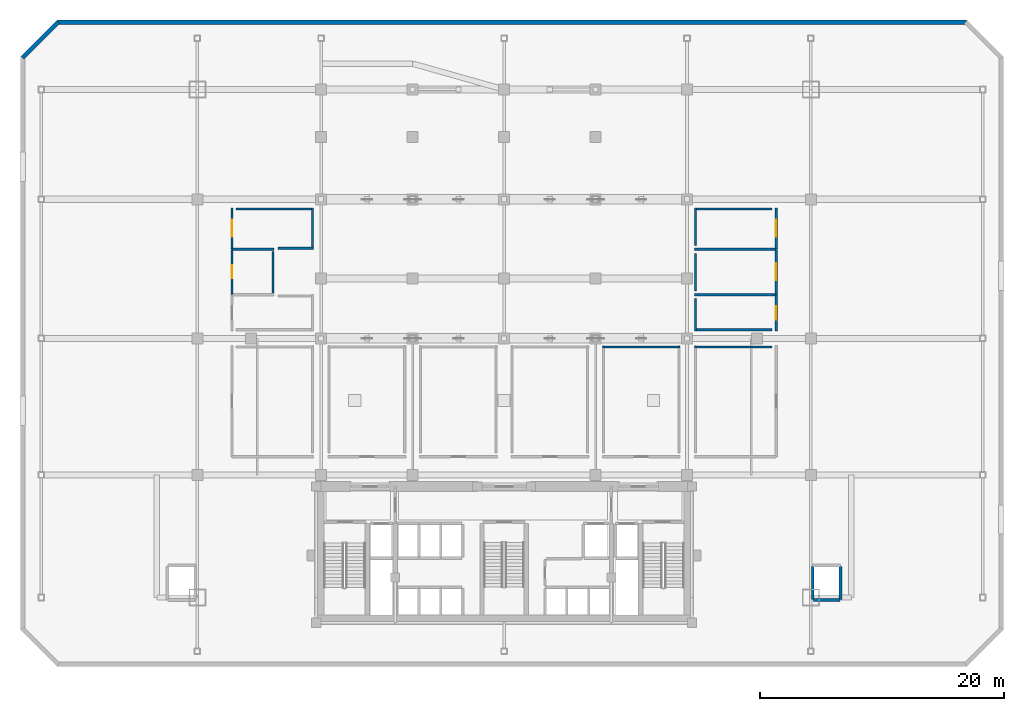
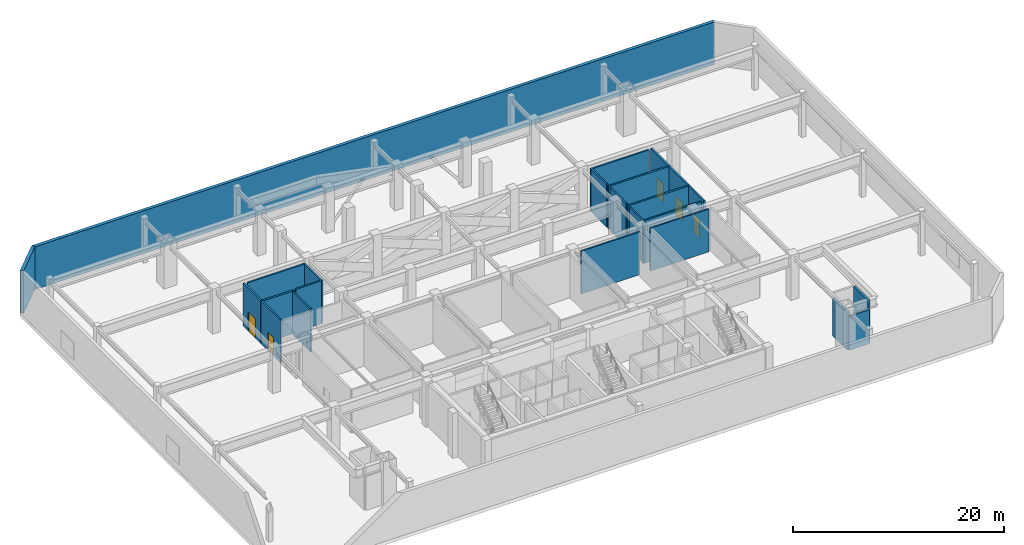
# One storey, part 10 of 14: 24 walls, 5 doors, 5 openings.
"""IFC4 building model written with IfcOpenShell, lengths in metres."""

from ifc_helpers import new_model, si_unit, direction, frame, frame_2d, origin, place, context, subcontext, project, spatial, rectangle, extrude, material, layer, layer_set, type_object, element, fill, save


model = new_model("IFC4")

# Units and contexts
model_context = context("Model", 3, precision=1e-05, world=origin(), true_north=direction((0.0, 1.0)))
body_context = subcontext(model_context, "Body", "Model", "MODEL_VIEW")
ifc_project = project(units=[si_unit("LENGTHUNIT", "METRE"), si_unit("AREAUNIT", "SQUARE_METRE"), si_unit("VOLUMEUNIT", "CUBIC_METRE"), si_unit("PLANEANGLEUNIT", "RADIAN"), si_unit("MASSUNIT", "GRAM", prefix="KILO")], contexts=[model_context])

# Site, building, storey
site_placement = place(None, origin())
site = spatial("IfcSite", under=ifc_project, at=site_placement, CompositionType="ELEMENT")
building_placement = place(site_placement, origin())
building = spatial("IfcBuilding", under=site, at=building_placement, Name="Ventersveld Concourse Tower", CompositionType="ELEMENT")
storey_placement = place(building_placement, frame((0.0, 0.0, 24.60009765625)))
storey = spatial("IfcBuildingStorey", under=building, at=storey_placement, Name="L05", CompositionType="ELEMENT", Elevation=24.60009765625)

# Wall, opening, door
ifc_material_1 = material(Name="Fire-rated autoclaved aerated masonry blockwork", Category="masonry")
ifc_layer_1 = layer(ifc_material_1, 0.179931640625)
ifc_layer_set_1 = layer_set([ifc_layer_1], Name="Fire-rated autoclaved aerated masonry blockwork")
wall_type_1 = type_object("IfcWallType", Name="WL-CORR-180", PredefinedType="PARTITIONING", material=ifc_layer_set_1)
wall_1_placement = place(storey_placement, frame((51.06005859375, 24.205078125, 0.0), z_axis=(0.0, 0.0, 1.0), x_axis=(0.0, 1.0, 0.0)))
wall_1 = element("IfcWall", 1, at=wall_1_placement, inside=storey, type_object=wall_type_1, Name="L05 Interior Partition SP-L05-PCOR-SP-L05-REF-8", PredefinedType="PARTITIONING", context=body_context, shape_type="SweptSolid", body=[
    extrude(rectangle(XDim=2.969970703125, YDim=0.179931640625, at=frame_2d((1.48486328125, 0.0))), origin(), (0.0, 0.0, 1.0), 4.949951171875),
])
opening_1_placement = place(wall_1_placement, frame((0.93505859375, 0.0, 0.0)))
opening_1 = element("IfcOpeningElement", 2, at=opening_1_placement, cuts=wall_1, Name="Opening FD2", PredefinedType="OPENING", context=body_context, shape_type="SweptSolid", body=[
    extrude(rectangle(XDim=1.10009765625, YDim=2.199951171875, at=frame_2d((0.550048828125, 1.10009765625))), frame((0.0, 0.10009765625, 0.0), z_axis=(0.0, -1.0, 0.0), x_axis=(1.0, 0.0, 0.0)), (0.0, 0.0, 1.0), 0.199951171875),
])
ifc_material_2 = material(Name="Galvanised painted steel", Category="steel")
door_type_1 = type_object("IfcDoorType", Name="DR-FFL-110", OperationType="NOTDEFINED", PredefinedType="DOOR", material=ifc_material_2)
door_1_placement = place(opening_1_placement, origin())
door_1 = element("IfcDoor", 3, at=door_1_placement, inside=storey, type_object=door_type_1, Name="L05 Interior Door SP-L05-PCOR to SP-L05-REF-8 (FD-L05-0171)", OperationType="SINGLE_SWING_LEFT", OverallHeight=2.199951171875, OverallWidth=1.10009765625, PredefinedType="DOOR", context=body_context, shape_type="SweptSolid", body=[
    extrude(rectangle(XDim=1.10009765625, YDim=2.199951171875, at=frame_2d((0.550048828125, 1.10009765625))), frame((0.0, 0.02490234375, 0.0), z_axis=(0.0, -1.0, 0.0), x_axis=(1.0, 0.0, 0.0)), (0.0, 0.0, 1.0), 0.050048828125),
])
fill(opening_1, door_1)

wall_2_placement = place(storey_placement, frame((6.43994140625, 27.205078125, 0.0), z_axis=(0.0, 0.0, 1.0), x_axis=(0.0, 1.0, 0.0)))
wall_2 = element("IfcWall", 4, at=wall_2_placement, inside=storey, type_object=wall_type_1, Name="L05 Interior Partition SP-L05-PCOR-SP-L05-AWC", PredefinedType="PARTITIONING", context=body_context, shape_type="SweptSolid", body=[
    extrude(rectangle(XDim=3.68994140625, YDim=0.179931640625, at=frame_2d((1.844970703125, 0.0))), origin(), (0.0, 0.0, 1.0), 4.949951171875),
])
opening_2_placement = place(wall_2_placement, frame((1.320068359375, 0.0, 0.0)))
opening_2 = element("IfcOpeningElement", 5, at=opening_2_placement, cuts=wall_2, Name="Opening ID3", PredefinedType="OPENING", context=body_context, shape_type="SweptSolid", body=[
    extrude(rectangle(XDim=1.050048828125, YDim=2.14990234375, at=frame_2d((0.52490234375, 1.074951171875))), frame((0.0, 0.10009765625, 0.0), z_axis=(0.0, -1.0, 0.0), x_axis=(1.0, 0.0, 0.0)), (0.0, 0.0, 1.0), 0.199951171875),
])
ifc_material_3 = material(Name="Solid-core hardwood veneer timber", Category="wood")
door_type_2 = type_object("IfcDoorType", Name="DR-AWC-105", OperationType="NOTDEFINED", PredefinedType="DOOR", material=ifc_material_3)
door_2_placement = place(opening_2_placement, origin())
door_2 = element("IfcDoor", 6, at=door_2_placement, inside=storey, type_object=door_type_2, Name="L05 Interior Door SP-L05-PCOR to SP-L05-AWC (WD-L05-0172)", OperationType="SINGLE_SWING_RIGHT", OverallHeight=2.14990234375, OverallWidth=1.050048828125, PredefinedType="DOOR", context=body_context, shape_type="SweptSolid", body=[
    extrude(rectangle(XDim=1.050048828125, YDim=2.14990234375, at=frame_2d((0.52490234375, 1.074951171875))), frame((0.0, 0.02490234375, 0.0), z_axis=(0.0, -1.0, 0.0), x_axis=(1.0, 0.0, 0.0)), (0.0, 0.0, 1.0), 0.050048828125),
])
fill(opening_2, door_2)

wall_3_placement = place(storey_placement, frame((6.43994140625, 30.925048828125, 0.0), z_axis=(0.0, 0.0, 1.0), x_axis=(0.0, 1.0, 0.0)))
wall_3 = element("IfcWall", 7, at=wall_3_placement, inside=storey, type_object=wall_type_1, Name="L05 Interior Partition SP-L05-PCOR-SP-L05-PLT-CHL", PredefinedType="PARTITIONING", context=body_context, shape_type="SweptSolid", body=[
    extrude(rectangle(XDim=3.369873046875, YDim=0.179931640625, at=frame_2d((1.68505859375, 0.0))), origin(), (0.0, 0.0, 1.0), 4.949951171875),
])
opening_3_placement = place(wall_3_placement, frame((0.985107421875, 0.0, 0.0)))
opening_3 = element("IfcOpeningElement", 8, at=opening_3_placement, cuts=wall_3, Name="Opening FD4", PredefinedType="OPENING", context=body_context, shape_type="SweptSolid", body=[
    extrude(rectangle(XDim=1.39990234375, YDim=2.199951171875, at=frame_2d((0.699951171875, 1.10009765625))), frame((0.0, 0.10009765625, 0.0), z_axis=(0.0, -1.0, 0.0), x_axis=(1.0, 0.0, 0.0)), (0.0, 0.0, 1.0), 0.199951171875),
])
door_type_3 = type_object("IfcDoorType", Name="DR-PLANT-140", OperationType="DOUBLE_DOOR_SINGLE_SWING", PredefinedType="DOOR", material=ifc_material_2)
door_3_placement = place(opening_3_placement, origin())
door_3 = element("IfcDoor", 9, at=door_3_placement, inside=storey, type_object=door_type_3, Name="L05 Interior Door SP-L05-PCOR to SP-L05-PLT-CHL (FD-L05-0173)", OperationType="DOUBLE_DOOR_SINGLE_SWING", OverallHeight=2.199951171875, OverallWidth=1.39990234375, PredefinedType="DOOR", context=body_context, shape_type="SweptSolid", body=[
    extrude(rectangle(XDim=1.39990234375, YDim=2.199951171875, at=frame_2d((0.699951171875, 1.10009765625))), frame((0.0, 0.02490234375, 0.0), z_axis=(0.0, -1.0, 0.0), x_axis=(1.0, 0.0, 0.0)), (0.0, 0.0, 1.0), 0.050048828125),
])
fill(opening_3, door_3)

wall_4_placement = place(storey_placement, frame((51.06005859375, 27.205078125, 0.0), z_axis=(0.0, 0.0, 1.0), x_axis=(0.0, 1.0, 0.0)))
wall_4 = element("IfcWall", 10, at=wall_4_placement, inside=storey, type_object=wall_type_1, Name="L05 Interior Partition SP-L05-PCOR-SP-L05-PLT-AHU", PredefinedType="PARTITIONING", context=body_context, shape_type="SweptSolid", body=[
    extrude(rectangle(XDim=3.68994140625, YDim=0.179931640625, at=frame_2d((1.844970703125, 0.0))), origin(), (0.0, 0.0, 1.0), 4.949951171875),
])
opening_4_placement = place(wall_4_placement, frame((1.14501953125, 0.0, 0.0)))
opening_4 = element("IfcOpeningElement", 11, at=opening_4_placement, cuts=wall_4, Name="Opening FD4", PredefinedType="OPENING", context=body_context, shape_type="SweptSolid", body=[
    extrude(rectangle(XDim=1.39990234375, YDim=2.199951171875, at=frame_2d((0.699951171875, 1.10009765625))), frame((0.0, 0.10009765625, 0.0), z_axis=(0.0, -1.0, 0.0), x_axis=(1.0, 0.0, 0.0)), (0.0, 0.0, 1.0), 0.199951171875),
])
door_4_placement = place(opening_4_placement, origin())
door_4 = element("IfcDoor", 12, at=door_4_placement, inside=storey, type_object=door_type_3, Name="L05 Interior Door SP-L05-PCOR to SP-L05-PLT-AHU (FD-L05-0174)", OperationType="DOUBLE_DOOR_SINGLE_SWING", OverallHeight=2.199951171875, OverallWidth=1.39990234375, PredefinedType="DOOR", context=body_context, shape_type="SweptSolid", body=[
    extrude(rectangle(XDim=1.39990234375, YDim=2.199951171875, at=frame_2d((0.699951171875, 1.10009765625))), frame((0.0, 0.02490234375, 0.0), z_axis=(0.0, -1.0, 0.0), x_axis=(1.0, 0.0, 0.0)), (0.0, 0.0, 1.0), 0.050048828125),
])
fill(opening_4, door_4)

wall_5_placement = place(storey_placement, frame((51.06005859375, 30.925048828125, 0.0), z_axis=(0.0, 0.0, 1.0), x_axis=(0.0, 1.0, 0.0)))
wall_5 = element("IfcWall", 13, at=wall_5_placement, inside=storey, type_object=wall_type_1, Name="L05 Interior Partition SP-L05-PCOR-SP-L05-PLT-PMP", PredefinedType="PARTITIONING", context=body_context, shape_type="SweptSolid", body=[
    extrude(rectangle(XDim=3.369873046875, YDim=0.179931640625, at=frame_2d((1.68505859375, 0.0))), origin(), (0.0, 0.0, 1.0), 4.949951171875),
])
opening_5_placement = place(wall_5_placement, frame((0.985107421875, 0.0, 0.0)))
opening_5 = element("IfcOpeningElement", 14, at=opening_5_placement, cuts=wall_5, Name="Opening FD4", PredefinedType="OPENING", context=body_context, shape_type="SweptSolid", body=[
    extrude(rectangle(XDim=1.39990234375, YDim=2.199951171875, at=frame_2d((0.699951171875, 1.10009765625))), frame((0.0, 0.10009765625, 0.0), z_axis=(0.0, -1.0, 0.0), x_axis=(1.0, 0.0, 0.0)), (0.0, 0.0, 1.0), 0.199951171875),
])
door_5_placement = place(opening_5_placement, origin())
door_5 = element("IfcDoor", 15, at=door_5_placement, inside=storey, type_object=door_type_3, Name="L05 Interior Door SP-L05-PCOR to SP-L05-PLT-PMP (FD-L05-0175)", OperationType="DOUBLE_DOOR_SINGLE_SWING", OverallHeight=2.199951171875, OverallWidth=1.39990234375, PredefinedType="DOOR", context=body_context, shape_type="SweptSolid", body=[
    extrude(rectangle(XDim=1.39990234375, YDim=2.199951171875, at=frame_2d((0.699951171875, 1.10009765625))), frame((0.0, 0.02490234375, 0.0), z_axis=(0.0, -1.0, 0.0), x_axis=(1.0, 0.0, 0.0)), (0.0, 0.0, 1.0), 0.050048828125),
])
fill(opening_5, door_5)

# Walls
wall_6_placement = place(storey_placement, frame((43.195068359375, 22.89990234375, 0.0), z_axis=(0.0, 0.0, 1.0), x_axis=(-1.0, 0.0, 0.0)))
element("IfcWall", 16, at=wall_6_placement, inside=storey, type_object=wall_type_1, Name="L05 Room Enclosure Wall SP-L05-REF-5", PredefinedType="PARTITIONING", context=body_context, shape_type="SweptSolid", body=[
    extrude(rectangle(XDim=6.39013671875, YDim=0.179931640625, at=frame_2d((3.195068359375, 0.0))), origin(), (0.0, 0.0, 1.0), 4.949951171875),
])
for number, where, z_axis, x_axis, name in (
    (17, (50.735107421875, 22.89990234375, 0.0), (0.0, 0.0, 1.0), (-1.0, 0.0, 0.0), "L05 Room Enclosure Wall SP-L05-REF-6"),
    (18, (44.35498046875, 24.300048828125, 0.0), (0.0, 0.0, 1.0), (1.0, 0.0, 0.0), "L05 Room Enclosure Wall SP-L05-REF-8"),
):
    element("IfcWall", number, at=place(storey_placement, frame(where, z_axis=z_axis, x_axis=x_axis)), inside=storey, type_object=wall_type_1, Name=name, PredefinedType="PARTITIONING", context=body_context, shape_type="SweptSolid", body=[
        extrude(rectangle(XDim=6.380126953125, YDim=0.179931640625, at=frame_2d((3.18994140625, 0.0))), origin(), (0.0, 0.0, 1.0), 4.949951171875),
    ])
wall_7_placement = place(storey_placement, frame((44.449951171875, 26.844970703125, 0.0), z_axis=(0.0, 0.0, 1.0), x_axis=(0.0, -1.0, 0.0)))
element("IfcWall", 19, at=wall_7_placement, inside=storey, type_object=wall_type_1, Name="L05 Room Enclosure Wall SP-L05-REF-8", PredefinedType="PARTITIONING", context=body_context, shape_type="SweptSolid", body=[
    extrude(rectangle(XDim=2.639892578125, YDim=0.179931640625, at=frame_2d((1.31982421875, 0.0))), origin(), (0.0, 0.0, 1.0), 4.949951171875),
])
wall_8_placement = place(storey_placement, frame((10.2099609375, 30.97998046875, 0.0), z_axis=(0.0, 0.0, 1.0), x_axis=(1.0, 0.0, 0.0)))
element("IfcWall", 20, at=wall_8_placement, inside=storey, type_object=wall_type_1, Name="L05 Room Enclosure Wall SP-L05-PLT-CHL", PredefinedType="PARTITIONING", context=body_context, shape_type="SweptSolid", body=[
    extrude(rectangle(XDim=2.93505859375, YDim=0.179931640625, at=frame_2d((1.467529296875, 0.0))), origin(), (0.0, 0.0, 1.0), 4.949951171875),
])
wall_9_placement = place(storey_placement, frame((13.050048828125, 30.885009765625, 0.0), z_axis=(0.0, 0.0, 1.0), x_axis=(0.0, 1.0, 0.0)))
element("IfcWall", 21, at=wall_9_placement, inside=storey, type_object=wall_type_1, Name="L05 Room Enclosure Wall SP-L05-PLT-CHL", PredefinedType="PARTITIONING", context=body_context, shape_type="SweptSolid", body=[
    extrude(rectangle(XDim=3.409912109375, YDim=0.179931640625, at=frame_2d((1.705078125, 0.0))), origin(), (0.0, 0.0, 1.0), 4.949951171875),
])
wall_10_placement = place(storey_placement, frame((13.14501953125, 34.199951171875, 0.0), z_axis=(0.0, 0.0, 1.0), x_axis=(-1.0, 0.0, 0.0)))
element("IfcWall", 22, at=wall_10_placement, inside=storey, type_object=wall_type_1, Name="L05 Room Enclosure Wall SP-L05-PLT-CHL", PredefinedType="PARTITIONING", context=body_context, shape_type="SweptSolid", body=[
    extrude(rectangle(XDim=6.380126953125, YDim=0.179931640625, at=frame_2d((3.18994140625, 0.0))), origin(), (0.0, 0.0, 1.0), 4.949951171875),
])
wall_11_placement = place(storey_placement, frame((44.449951171875, 30.56494140625, 0.0), z_axis=(0.0, 0.0, 1.0), x_axis=(0.0, -1.0, 0.0)))
element("IfcWall", 23, at=wall_11_placement, inside=storey, type_object=wall_type_1, Name="L05 Room Enclosure Wall SP-L05-PLT-AHU", PredefinedType="PARTITIONING", context=body_context, shape_type="SweptSolid", body=[
    extrude(rectangle(XDim=3.06982421875, YDim=0.179931640625, at=frame_2d((1.534912109375, 0.0))), origin(), (0.0, 0.0, 1.0), 4.949951171875),
])
wall_12_placement = place(storey_placement, frame((50.735107421875, 34.199951171875, 0.0), z_axis=(0.0, 0.0, 1.0), x_axis=(-1.0, 0.0, 0.0)))
element("IfcWall", 24, at=wall_12_placement, inside=storey, type_object=wall_type_1, Name="L05 Room Enclosure Wall SP-L05-PLT-PMP", PredefinedType="PARTITIONING", context=body_context, shape_type="SweptSolid", body=[
    extrude(rectangle(XDim=6.380126953125, YDim=0.179931640625, at=frame_2d((3.18994140625, 0.0))), origin(), (0.0, 0.0, 1.0), 4.949951171875),
])
wall_13_placement = place(storey_placement, frame((44.449951171875, 34.294921875, 0.0), z_axis=(0.0, 0.0, 1.0), x_axis=(0.0, -1.0, 0.0)))
element("IfcWall", 25, at=wall_13_placement, inside=storey, type_object=wall_type_1, Name="L05 Room Enclosure Wall SP-L05-PLT-PMP", PredefinedType="PARTITIONING", context=body_context, shape_type="SweptSolid", body=[
    extrude(rectangle(XDim=3.079833984375, YDim=0.179931640625, at=frame_2d((1.5400390625, 0.0))), origin(), (0.0, 0.0, 1.0), 4.949951171875),
])
ifc_layer_2 = layer(ifc_material_1, 0.199951171875)
ifc_layer_set_2 = layer_set([ifc_layer_2], Name="Fire-rated autoclaved aerated masonry blockwork")
wall_type_2 = type_object("IfcWallType", Name="WL-DEMISE-200", PredefinedType="PARTITIONING", material=ifc_layer_set_2)
wall_14_placement = place(storey_placement, frame((44.35498046875, 27.169921875, 0.0), z_axis=(0.0, 0.0, 1.0), x_axis=(1.0, 0.0, 0.0)))
element("IfcWall", 26, at=wall_14_placement, inside=storey, type_object=wall_type_2, Name="L05 Interior Partition SP-L05-REF-8-SP-L05-PLT-AHU", PredefinedType="PARTITIONING", context=body_context, shape_type="SweptSolid", body=[
    extrude(rectangle(XDim=6.7099609375, YDim=0.199951171875, at=frame_2d((3.35498046875, 0.0))), origin(), (0.0, 0.0, 1.0), 4.949951171875),
])
wall_15_placement = place(storey_placement, frame((6.43505859375, 30.889892578125, 0.0), z_axis=(0.0, 0.0, 1.0), x_axis=(1.0, 0.0, 0.0)))
element("IfcWall", 27, at=wall_15_placement, inside=storey, type_object=wall_type_2, Name="L05 Interior Partition SP-L05-AWC-SP-L05-PLT-CHL", PredefinedType="PARTITIONING", context=body_context, shape_type="SweptSolid", body=[
    extrude(rectangle(XDim=3.4599609375, YDim=0.199951171875, at=frame_2d((1.72998046875, 0.0))), origin(), (0.0, 0.0, 1.0), 4.949951171875),
])
wall_16_placement = place(storey_placement, frame((44.35498046875, 30.889892578125, 0.0), z_axis=(0.0, 0.0, 1.0), x_axis=(1.0, 0.0, 0.0)))
element("IfcWall", 28, at=wall_16_placement, inside=storey, type_object=wall_type_2, Name="L05 Interior Partition SP-L05-PLT-AHU-SP-L05-PLT-PMP", PredefinedType="PARTITIONING", context=body_context, shape_type="SweptSolid", body=[
    extrude(rectangle(XDim=6.7099609375, YDim=0.199951171875, at=frame_2d((3.35498046875, 0.0))), origin(), (0.0, 0.0, 1.0), 4.949951171875),
])
ifc_layer_3 = layer(ifc_material_1, 0.219970703125)
ifc_layer_set_3 = layer_set([ifc_layer_3], Name="Fire-rated autoclaved aerated masonry blockwork")
wall_type_3 = type_object("IfcWallType", Name="WL-HOIST-220", PredefinedType="SOLIDWALL", material=ifc_layer_set_3)
wall_17_placement = place(storey_placement, frame((54.10009765625, 2.139892578125, 0.0), z_axis=(0.0, 0.0, 1.0), x_axis=(1.0, 0.0, 0.0)))
element("IfcWall", 29, at=wall_17_placement, inside=storey, type_object=wall_type_3, Name="L05 Lift Hoistway Back Wall SL-02", PredefinedType="SOLIDWALL", context=body_context, shape_type="SweptSolid", body=[
    extrude(rectangle(XDim=2.199951171875, YDim=0.219970703125, at=frame_2d((1.10009765625, 0.0))), origin(), (0.0, 0.0, 1.0), 3.949951171875),
])
wall_18_placement = place(storey_placement, frame((54.06005859375, 2.199951171875, 0.0), z_axis=(0.0, 0.0, 1.0), x_axis=(0.0, 1.0, 0.0)))
element("IfcWall", 30, at=wall_18_placement, inside=storey, type_object=wall_type_3, Name="L05 Lift Hoistway Side Wall SL-02W", PredefinedType="SOLIDWALL", context=body_context, shape_type="SweptSolid", body=[
    extrude(rectangle(XDim=2.699951171875, YDim=0.219970703125, at=frame_2d((1.35009765625, 0.0))), origin(), (0.0, 0.0, 1.0), 4.416748046875),
])
wall_19_placement = place(storey_placement, frame((56.340087890625, 2.199951171875, 0.0), z_axis=(0.0, 0.0, 1.0), x_axis=(0.0, 1.0, 0.0)))
element("IfcWall", 31, at=wall_19_placement, inside=storey, type_object=wall_type_3, Name="L05 Lift Hoistway Side Wall SL-02E", PredefinedType="SOLIDWALL", context=body_context, shape_type="SweptSolid", body=[
    extrude(rectangle(XDim=2.699951171875, YDim=0.219970703125, at=frame_2d((1.35009765625, 0.0))), origin(), (0.0, 0.0, 1.0), 4.949951171875),
])
ifc_material_4 = material(Name="Precast concrete C45/55", Category="concrete")
ifc_layer_4 = layer(ifc_material_4, 0.35009765625)
ifc_layer_set_4 = layer_set([ifc_layer_4], Name="Precast concrete C45/55")
wall_type_4 = type_object("IfcWallType", Name="WL-PREC-350", PredefinedType="SOLIDWALL", material=ifc_layer_set_4)
wall_20_placement = place(storey_placement, frame((66.659912109375, 49.52001953125, 0.0), z_axis=(0.0, 0.0, 1.0), x_axis=(-1.0, 0.0, 0.0)))
element("IfcWall", 32, at=wall_20_placement, inside=storey, type_object=wall_type_4, Name="L05 Podium Precast Perimeter Wall 05", PredefinedType="SOLIDWALL", context=body_context, shape_type="SweptSolid", body=[
    extrude(rectangle(XDim=74.52001953125, YDim=0.35009765625, at=frame_2d((37.260009765625, 0.0))), origin(), (0.0, 0.0, 1.0), 4.949951171875),
])
wall_21_placement = place(storey_placement, frame((-7.801025390625, 49.54443359375, 0.0), z_axis=(0.0, 0.0, 1.0), x_axis=(-0.707106781187, -0.707106781187, 0.0)))
element("IfcWall", 33, at=wall_21_placement, inside=storey, type_object=wall_type_4, Name="L05 Podium Precast Perimeter Wall 06", PredefinedType="SOLIDWALL", context=body_context, shape_type="SweptSolid", body=[
    extrude(rectangle(XDim=4.16259765625, YDim=0.35009765625, at=frame_2d((2.081298828125, 0.0))), origin(), (0.0, 0.0, 1.0), 4.949951171875),
])
ifc_material_5 = material(Name="Autoclaved aerated masonry blockwork", Category="masonry")
ifc_layer_5 = layer(ifc_material_5, 0.1650390625)
ifc_layer_set_5 = layer_set([ifc_layer_5], Name="Autoclaved aerated masonry blockwork")
wall_type_5 = type_object("IfcWallType", Name="WL-WET-165", PredefinedType="PLUMBINGWALL", material=ifc_layer_set_5)
wall_22_placement = place(storey_placement, frame((9.800048828125, 27.3349609375, 0.0), z_axis=(0.0, 0.0, 1.0), x_axis=(0.0, 1.0, 0.0)))
element("IfcWall", 34, at=wall_22_placement, inside=storey, type_object=wall_type_5, Name="L05 Room Enclosure Wall SP-L05-AWC", PredefinedType="PLUMBINGWALL", context=body_context, shape_type="SweptSolid", body=[
    extrude(rectangle(XDim=3.39013671875, YDim=0.1650390625, at=frame_2d((1.695068359375, 0.0))), origin(), (0.0, 0.0, 1.0), 4.949951171875),
])

save(model, "model.ifc")
